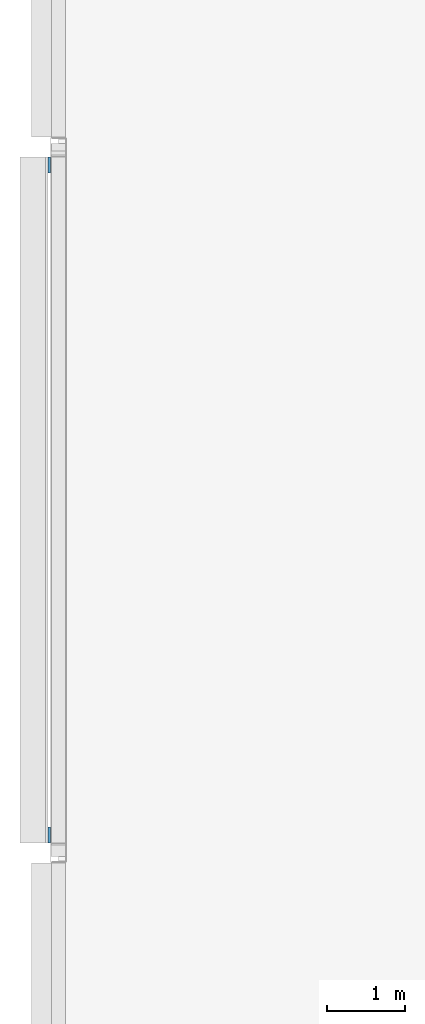
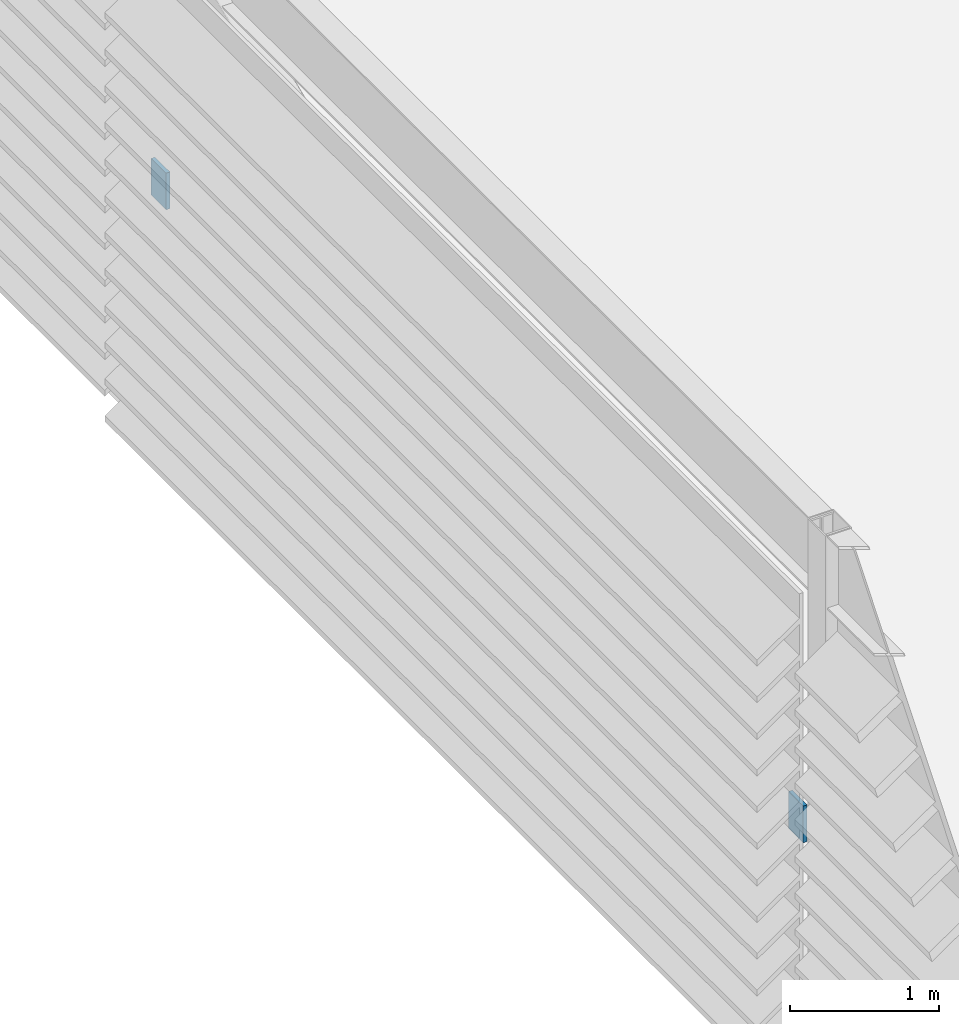
# One storey, part 19 of 27: 2 discrete accessories.
"""IFC4 building model written with IfcOpenShell, lengths in metres."""

from ifc_helpers import new_model, si_unit, direction, frame, origin, origin_2d, place, context, subcontext, project, spatial, rectangle, extrude, material, type_object, element, save


model = new_model("IFC4")

# Units and contexts
model_context = context("Model", 3, precision=1e-05, world=origin(), true_north=direction((0.0, 1.0)))
body_context = subcontext(model_context, "Body", "Model", "MODEL_VIEW")
ifc_project = project(units=[si_unit("LENGTHUNIT", "METRE"), si_unit("AREAUNIT", "SQUARE_METRE"), si_unit("VOLUMEUNIT", "CUBIC_METRE"), si_unit("PLANEANGLEUNIT", "RADIAN"), si_unit("MASSUNIT", "GRAM", prefix="KILO")], contexts=[model_context])

# Site, building, storey
site_placement = place(None, origin())
site = spatial("IfcSite", under=ifc_project, at=site_placement, CompositionType="ELEMENT")
building_placement = place(site_placement, origin())
building = spatial("IfcBuilding", under=site, at=building_placement, Name="Madar Terraces", CompositionType="ELEMENT")
storey_placement = place(building_placement, frame((0.0, 0.0, 301.10009765625)))
storey = spatial("IfcBuildingStorey", under=building, at=storey_placement, Name="L78", CompositionType="ELEMENT", Elevation=301.10009765625)

# Discrete accessories
ifc_material = material(Name="Steel, galvanised", Category="steel")
discrete_accessory_type = type_object("IfcDiscreteAccessoryType", Name="Louvre bank bracket", PredefinedType="BRACKET", material=ifc_material)
for number, where, z_axis, x_axis, name in (
    (1, (1.08349609375, 32.77294921875, 1.7490234375), (0.0, 0.0, 1.0), (0.0, -1.0, 0.0), "Louvre bank bracket"),
    (2, (1.08349609375, 24.22705078125, 1.7490234375), (0.0, 0.0, 1.0), (0.0, -1.0, 0.0), "Louvre bank bracket"),
):
    element("IfcDiscreteAccessory", number, at=place(storey_placement, frame(where, z_axis=z_axis, x_axis=x_axis)), inside=storey, type_object=discrete_accessory_type, Name=name, PredefinedType="BRACKET", context=body_context, shape_type="SweptSolid", body=[
        extrude(rectangle(XDim=0.199951171875, YDim=0.030029296875, at=origin_2d()), origin(), (0.0, 0.0, 1.0), 0.300048828125),
    ])

save(model, "model.ifc")
